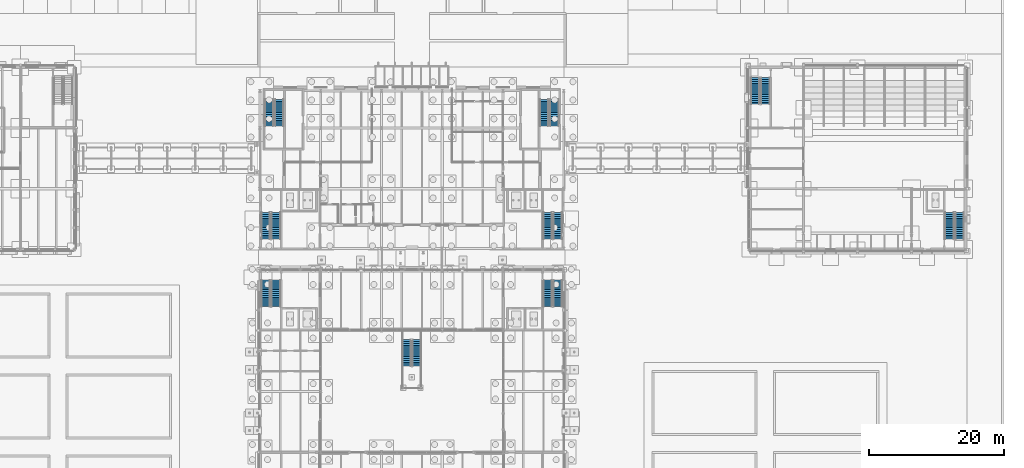
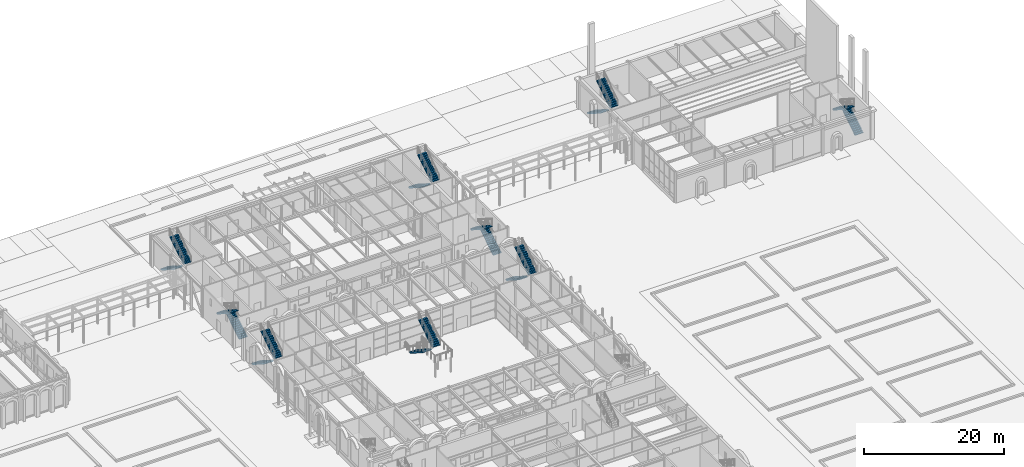
# One storey, part 86 of 126: 18 stair flights, 9 elements without a shape of their own.
"""IFC4 building model written with IfcOpenShell, lengths in metres."""

from ifc_helpers import new_model, si_unit, direction, frame, origin, place, context, subcontext, project, spatial, polyline, outline, extrude, material, type_object, element, aggregate, save


model = new_model("IFC4")

# Units and contexts
model_context = context("Model", 3, precision=1e-05, world=origin(), true_north=direction((0.0, 1.0)))
body_context = subcontext(model_context, "Body", "Model", "MODEL_VIEW")
ifc_project = project(units=[si_unit("LENGTHUNIT", "METRE"), si_unit("AREAUNIT", "SQUARE_METRE"), si_unit("VOLUMEUNIT", "CUBIC_METRE"), si_unit("PLANEANGLEUNIT", "RADIAN"), si_unit("MASSUNIT", "GRAM", prefix="KILO")], contexts=[model_context])

# Site, building, storey
site_placement = place(None, origin())
site = spatial("IfcSite", under=ifc_project, at=site_placement, CompositionType="ELEMENT")
building_placement = place(site_placement, origin())
building = spatial("IfcBuilding", under=site, at=building_placement, Name="Kallimachos Central Library", CompositionType="ELEMENT")
storey_placement = place(building_placement, origin())
storey = spatial("IfcBuildingStorey", under=building, at=storey_placement, Name="L00", CompositionType="ELEMENT", Elevation=0.0)

# Stair, stair flights
ifc_material_1 = material(Name="Concrete C30/37", Category="concrete")
stair_type_1 = type_object("IfcStairType", Name="Escape stair", PredefinedType="HALF_TURN_STAIR", material=ifc_material_1)
stair_1_placement = place(storey_placement, origin())
stair_1 = element("IfcStair", 1, at=stair_1_placement, inside=storey, type_object=stair_type_1, Name="L00 stair ST9", PredefinedType="HALF_TURN_STAIR")
ifc_material_2 = material(Name="Concrete C30/37", Category="concrete")
stair_flight_type_1 = type_object("IfcStairFlightType", Name="Stair flight", PredefinedType="STRAIGHT", material=ifc_material_2)
stair_flight_1_placement = place(storey_placement, frame((66.375, 82.449951171875, 0.0), z_axis=(0.0, 0.0, 1.0), x_axis=(0.0, -1.0, 0.0)))
stair_flight_1 = element("IfcStairFlight", 2, at=stair_flight_1_placement, type_object=stair_flight_type_1, Name="ST9 flight 1", NumberOfRisers=15, NumberOfTreads=14, PredefinedType="STRAIGHT", RiserHeight=0.18, TreadLength=0.28, context=body_context, shape_type="SweptSolid", body=[
    extrude(outline(polyline([(0.0, 0.0), (0.0, 0.179931640625), (0.280029296875, 0.179931640625), (0.280029296875, 0.360107421875), (0.56005859375, 0.360107421875), (0.56005859375, 0.5400390625), (0.840087890625, 0.5400390625), (0.840087890625, 0.719970703125), (1.1201171875, 0.719970703125), (1.1201171875, 0.89990234375), (1.39990234375, 0.89990234375), (1.39990234375, 1.080078125), (1.679931640625, 1.080078125), (1.679931640625, 1.260009765625), (1.9599609375, 1.260009765625), (1.9599609375, 1.43994140625), (2.239990234375, 1.43994140625), (2.239990234375, 1.6201171875), (2.52001953125, 1.6201171875), (2.52001953125, 1.800048828125), (2.800048828125, 1.800048828125), (2.800048828125, 1.97998046875), (3.080078125, 1.97998046875), (3.080078125, 2.159912109375), (3.360107421875, 2.159912109375), (3.360107421875, 2.340087890625), (3.639892578125, 2.340087890625), (3.639892578125, 2.52001953125), (3.919921875, 2.52001953125), (3.919921875, 2.699951171875), (3.919921875, 2.341796875), (0.277099609375, 0.0), (0.0, 0.0)])), frame((0.0, 0.675048828125, 0.0), z_axis=(0.0, -1.0, 0.0), x_axis=(1.0, 0.0, 0.0)), (0.0, 0.0, 1.0), 1.35009765625),
])
stair_flight_2_placement = place(storey_placement, frame((67.875, 78.530029296875, 2.699951171875), z_axis=(0.0, 0.0, 1.0), x_axis=(0.0, 1.0, 0.0)))
stair_flight_2 = element("IfcStairFlight", 3, at=stair_flight_2_placement, type_object=stair_flight_type_1, Name="ST9 flight 2", NumberOfRisers=15, NumberOfTreads=14, PredefinedType="STRAIGHT", RiserHeight=0.18, TreadLength=0.28, context=body_context, shape_type="SweptSolid", body=[
    extrude(outline(polyline([(0.0, 0.0), (0.0, 0.179931640625), (0.280029296875, 0.179931640625), (0.280029296875, 0.360107421875), (0.56005859375, 0.360107421875), (0.56005859375, 0.5400390625), (0.840087890625, 0.5400390625), (0.840087890625, 0.719970703125), (1.1201171875, 0.719970703125), (1.1201171875, 0.89990234375), (1.39990234375, 0.89990234375), (1.39990234375, 1.080078125), (1.679931640625, 1.080078125), (1.679931640625, 1.260009765625), (1.9599609375, 1.260009765625), (1.9599609375, 1.43994140625), (2.239990234375, 1.43994140625), (2.239990234375, 1.6201171875), (2.52001953125, 1.6201171875), (2.52001953125, 1.800048828125), (2.800048828125, 1.800048828125), (2.800048828125, 1.97998046875), (3.080078125, 1.97998046875), (3.080078125, 2.159912109375), (3.360107421875, 2.159912109375), (3.360107421875, 2.340087890625), (3.639892578125, 2.340087890625), (3.639892578125, 2.52001953125), (3.919921875, 2.52001953125), (3.919921875, 2.699951171875), (3.919921875, 2.341796875), (0.277099609375, 0.0), (0.0, 0.0)])), frame((0.0, 0.675048828125, 0.0), z_axis=(0.0, -1.0, 0.0), x_axis=(1.0, 0.0, 0.0)), (0.0, 0.0, 1.0), 1.35009765625),
])
aggregate(stair_1, [stair_flight_1, stair_flight_2])

stair_2_placement = place(storey_placement, origin())
stair_2 = element("IfcStair", 4, at=stair_2_placement, inside=storey, type_object=stair_type_1, Name="L00 stair ST10", PredefinedType="HALF_TURN_STAIR")
stair_flight_3_placement = place(storey_placement, frame((108.125, 82.449951171875, 0.0), z_axis=(0.0, 0.0, 1.0), x_axis=(0.0, -1.0, 0.0)))
stair_flight_3 = element("IfcStairFlight", 5, at=stair_flight_3_placement, type_object=stair_flight_type_1, Name="ST10 flight 1", NumberOfRisers=15, NumberOfTreads=14, PredefinedType="STRAIGHT", RiserHeight=0.18, TreadLength=0.28, context=body_context, shape_type="SweptSolid", body=[
    extrude(outline(polyline([(0.0, 0.0), (0.0, 0.179931640625), (0.280029296875, 0.179931640625), (0.280029296875, 0.360107421875), (0.56005859375, 0.360107421875), (0.56005859375, 0.5400390625), (0.840087890625, 0.5400390625), (0.840087890625, 0.719970703125), (1.1201171875, 0.719970703125), (1.1201171875, 0.89990234375), (1.39990234375, 0.89990234375), (1.39990234375, 1.080078125), (1.679931640625, 1.080078125), (1.679931640625, 1.260009765625), (1.9599609375, 1.260009765625), (1.9599609375, 1.43994140625), (2.239990234375, 1.43994140625), (2.239990234375, 1.6201171875), (2.52001953125, 1.6201171875), (2.52001953125, 1.800048828125), (2.800048828125, 1.800048828125), (2.800048828125, 1.97998046875), (3.080078125, 1.97998046875), (3.080078125, 2.159912109375), (3.360107421875, 2.159912109375), (3.360107421875, 2.340087890625), (3.639892578125, 2.340087890625), (3.639892578125, 2.52001953125), (3.919921875, 2.52001953125), (3.919921875, 2.699951171875), (3.919921875, 2.341796875), (0.277099609375, 0.0), (0.0, 0.0)])), frame((0.0, 0.675048828125, 0.0), z_axis=(0.0, -1.0, 0.0), x_axis=(1.0, 0.0, 0.0)), (0.0, 0.0, 1.0), 1.35009765625),
])
stair_flight_4_placement = place(storey_placement, frame((109.625, 78.530029296875, 2.699951171875), z_axis=(0.0, 0.0, 1.0), x_axis=(0.0, 1.0, 0.0)))
stair_flight_4 = element("IfcStairFlight", 6, at=stair_flight_4_placement, type_object=stair_flight_type_1, Name="ST10 flight 2", NumberOfRisers=15, NumberOfTreads=14, PredefinedType="STRAIGHT", RiserHeight=0.18, TreadLength=0.28, context=body_context, shape_type="SweptSolid", body=[
    extrude(outline(polyline([(0.0, 0.0), (0.0, 0.179931640625), (0.280029296875, 0.179931640625), (0.280029296875, 0.360107421875), (0.56005859375, 0.360107421875), (0.56005859375, 0.5400390625), (0.840087890625, 0.5400390625), (0.840087890625, 0.719970703125), (1.1201171875, 0.719970703125), (1.1201171875, 0.89990234375), (1.39990234375, 0.89990234375), (1.39990234375, 1.080078125), (1.679931640625, 1.080078125), (1.679931640625, 1.260009765625), (1.9599609375, 1.260009765625), (1.9599609375, 1.43994140625), (2.239990234375, 1.43994140625), (2.239990234375, 1.6201171875), (2.52001953125, 1.6201171875), (2.52001953125, 1.800048828125), (2.800048828125, 1.800048828125), (2.800048828125, 1.97998046875), (3.080078125, 1.97998046875), (3.080078125, 2.159912109375), (3.360107421875, 2.159912109375), (3.360107421875, 2.340087890625), (3.639892578125, 2.340087890625), (3.639892578125, 2.52001953125), (3.919921875, 2.52001953125), (3.919921875, 2.699951171875), (3.919921875, 2.341796875), (0.277099609375, 0.0), (0.0, 0.0)])), frame((0.0, 0.675048828125, 0.0), z_axis=(0.0, -1.0, 0.0), x_axis=(1.0, 0.0, 0.0)), (0.0, 0.0, 1.0), 1.35009765625),
])
aggregate(stair_2, [stair_flight_3, stair_flight_4])

stair_3_placement = place(storey_placement, origin())
stair_3 = element("IfcStair", 7, at=stair_3_placement, inside=storey, type_object=stair_type_1, Name="L00 atrium stair", PredefinedType="HALF_TURN_STAIR")
stair_flight_5_placement = place(storey_placement, frame((87.25, 73.64990234375, 0.0), z_axis=(0.0, 0.0, 1.0), x_axis=(0.0, -1.0, 0.0)))
stair_flight_5 = element("IfcStairFlight", 8, at=stair_flight_5_placement, type_object=stair_flight_type_1, Name="SF1 flight 1", NumberOfRisers=15, NumberOfTreads=14, PredefinedType="STRAIGHT", RiserHeight=0.18, TreadLength=0.28, context=body_context, shape_type="SweptSolid", body=[
    extrude(outline(polyline([(0.0, 0.0), (0.0, 0.179931640625), (0.280029296875, 0.179931640625), (0.280029296875, 0.360107421875), (0.56005859375, 0.360107421875), (0.56005859375, 0.5400390625), (0.840087890625, 0.5400390625), (0.840087890625, 0.719970703125), (1.1201171875, 0.719970703125), (1.1201171875, 0.89990234375), (1.39990234375, 0.89990234375), (1.39990234375, 1.080078125), (1.679931640625, 1.080078125), (1.679931640625, 1.260009765625), (1.9599609375, 1.260009765625), (1.9599609375, 1.43994140625), (2.239990234375, 1.43994140625), (2.239990234375, 1.6201171875), (2.52001953125, 1.6201171875), (2.52001953125, 1.800048828125), (2.800048828125, 1.800048828125), (2.800048828125, 1.97998046875), (3.080078125, 1.97998046875), (3.080078125, 2.159912109375), (3.360107421875, 2.159912109375), (3.360107421875, 2.340087890625), (3.639892578125, 2.340087890625), (3.639892578125, 2.52001953125), (3.919921875, 2.52001953125), (3.919921875, 2.699951171875), (3.919921875, 2.341796875), (0.277099609375, 0.0), (0.0, 0.0)])), frame((0.0, 0.675048828125, 0.0), z_axis=(0.0, -1.0, 0.0), x_axis=(1.0, 0.0, 0.0)), (0.0, 0.0, 1.0), 1.35009765625),
])
stair_flight_6_placement = place(storey_placement, frame((88.75, 69.72998046875, 2.699951171875), z_axis=(0.0, 0.0, 1.0), x_axis=(0.0, 1.0, 0.0)))
stair_flight_6 = element("IfcStairFlight", 9, at=stair_flight_6_placement, type_object=stair_flight_type_1, Name="SF1 flight 2", NumberOfRisers=15, NumberOfTreads=14, PredefinedType="STRAIGHT", RiserHeight=0.18, TreadLength=0.28, context=body_context, shape_type="SweptSolid", body=[
    extrude(outline(polyline([(0.0, 0.0), (0.0, 0.179931640625), (0.280029296875, 0.179931640625), (0.280029296875, 0.360107421875), (0.56005859375, 0.360107421875), (0.56005859375, 0.5400390625), (0.840087890625, 0.5400390625), (0.840087890625, 0.719970703125), (1.1201171875, 0.719970703125), (1.1201171875, 0.89990234375), (1.39990234375, 0.89990234375), (1.39990234375, 1.080078125), (1.679931640625, 1.080078125), (1.679931640625, 1.260009765625), (1.9599609375, 1.260009765625), (1.9599609375, 1.43994140625), (2.239990234375, 1.43994140625), (2.239990234375, 1.6201171875), (2.52001953125, 1.6201171875), (2.52001953125, 1.800048828125), (2.800048828125, 1.800048828125), (2.800048828125, 1.97998046875), (3.080078125, 1.97998046875), (3.080078125, 2.159912109375), (3.360107421875, 2.159912109375), (3.360107421875, 2.340087890625), (3.639892578125, 2.340087890625), (3.639892578125, 2.52001953125), (3.919921875, 2.52001953125), (3.919921875, 2.699951171875), (3.919921875, 2.341796875), (0.277099609375, 0.0), (0.0, 0.0)])), frame((0.0, 0.675048828125, 0.0), z_axis=(0.0, -1.0, 0.0), x_axis=(1.0, 0.0, 0.0)), (0.0, 0.0, 1.0), 1.35009765625),
])
aggregate(stair_3, [stair_flight_5, stair_flight_6])

ifc_material_3 = material(Name="Concrete C30/37", Category="concrete")
stair_type_2 = type_object("IfcStairType", Name="Stair V3", PredefinedType="HALF_TURN_STAIR", material=ifc_material_3)
stair_4_placement = place(storey_placement, origin())
stair_4 = element("IfcStair", 10, at=stair_4_placement, inside=storey, type_object=stair_type_2, Name="L00 stair ST7", PredefinedType="HALF_TURN_STAIR")
ifc_material_4 = material(Name="Concrete C30/37", Category="concrete")
stair_flight_type_2 = type_object("IfcStairFlightType", Name="Stair flight V3", PredefinedType="STRAIGHT", material=ifc_material_4)
stair_flight_7_placement = place(storey_placement, frame((169.125, 88.550048828125, 0.0), z_axis=(0.0, 0.0, 1.0), x_axis=(0.0, 1.0, 0.0)))
stair_flight_7 = element("IfcStairFlight", 11, at=stair_flight_7_placement, type_object=stair_flight_type_2, Name="ST7 flight 1", NumberOfRisers=15, NumberOfTreads=14, PredefinedType="STRAIGHT", RiserHeight=0.18, TreadLength=0.28, context=body_context, shape_type="SweptSolid", body=[
    extrude(outline(polyline([(0.0, 0.0), (0.0, 0.179931640625), (0.280029296875, 0.179931640625), (0.280029296875, 0.360107421875), (0.56005859375, 0.360107421875), (0.56005859375, 0.5400390625), (0.840087890625, 0.5400390625), (0.840087890625, 0.719970703125), (1.1201171875, 0.719970703125), (1.1201171875, 0.89990234375), (1.39990234375, 0.89990234375), (1.39990234375, 1.080078125), (1.679931640625, 1.080078125), (1.679931640625, 1.260009765625), (1.9599609375, 1.260009765625), (1.9599609375, 1.43994140625), (2.239990234375, 1.43994140625), (2.239990234375, 1.6201171875), (2.52001953125, 1.6201171875), (2.52001953125, 1.800048828125), (2.800048828125, 1.800048828125), (2.800048828125, 1.97998046875), (3.080078125, 1.97998046875), (3.080078125, 2.159912109375), (3.360107421875, 2.159912109375), (3.360107421875, 2.340087890625), (3.639892578125, 2.340087890625), (3.639892578125, 2.52001953125), (3.919921875, 2.52001953125), (3.919921875, 2.699951171875), (3.919921875, 2.341796875), (0.277099609375, 0.0), (0.0, 0.0)])), frame((0.0, 0.675048828125, 0.0), z_axis=(0.0, -1.0, 0.0), x_axis=(1.0, 0.0, 0.0)), (0.0, 0.0, 1.0), 1.35009765625),
])
stair_flight_8_placement = place(storey_placement, frame((167.625, 92.469970703125, 2.699951171875), z_axis=(0.0, 0.0, 1.0), x_axis=(0.0, -1.0, 0.0)))
stair_flight_8 = element("IfcStairFlight", 12, at=stair_flight_8_placement, type_object=stair_flight_type_2, Name="ST7 flight 2", NumberOfRisers=15, NumberOfTreads=14, PredefinedType="STRAIGHT", RiserHeight=0.18, TreadLength=0.28, context=body_context, shape_type="SweptSolid", body=[
    extrude(outline(polyline([(0.0, 0.0), (0.0, 0.179931640625), (0.280029296875, 0.179931640625), (0.280029296875, 0.360107421875), (0.56005859375, 0.360107421875), (0.56005859375, 0.5400390625), (0.840087890625, 0.5400390625), (0.840087890625, 0.719970703125), (1.1201171875, 0.719970703125), (1.1201171875, 0.89990234375), (1.39990234375, 0.89990234375), (1.39990234375, 1.080078125), (1.679931640625, 1.080078125), (1.679931640625, 1.260009765625), (1.9599609375, 1.260009765625), (1.9599609375, 1.43994140625), (2.239990234375, 1.43994140625), (2.239990234375, 1.6201171875), (2.52001953125, 1.6201171875), (2.52001953125, 1.800048828125), (2.800048828125, 1.800048828125), (2.800048828125, 1.97998046875), (3.080078125, 1.97998046875), (3.080078125, 2.159912109375), (3.360107421875, 2.159912109375), (3.360107421875, 2.340087890625), (3.639892578125, 2.340087890625), (3.639892578125, 2.52001953125), (3.919921875, 2.52001953125), (3.919921875, 2.699951171875), (3.919921875, 2.341796875), (0.277099609375, 0.0), (0.0, 0.0)])), frame((0.0, 0.675048828125, 0.0), z_axis=(0.0, -1.0, 0.0), x_axis=(1.0, 0.0, 0.0)), (0.0, 0.0, 1.0), 1.35009765625),
])
aggregate(stair_4, [stair_flight_7, stair_flight_8])

stair_5_placement = place(storey_placement, origin())
stair_5 = element("IfcStair", 13, at=stair_5_placement, inside=storey, type_object=stair_type_2, Name="L00 stair ST8", PredefinedType="HALF_TURN_STAIR")
stair_flight_9_placement = place(storey_placement, frame((138.875, 112.449951171875, 0.0), z_axis=(0.0, 0.0, 1.0), x_axis=(0.0, -1.0, 0.0)))
stair_flight_9 = element("IfcStairFlight", 14, at=stair_flight_9_placement, type_object=stair_flight_type_2, Name="ST8 flight 1", NumberOfRisers=15, NumberOfTreads=14, PredefinedType="STRAIGHT", RiserHeight=0.18, TreadLength=0.28, context=body_context, shape_type="SweptSolid", body=[
    extrude(outline(polyline([(0.0, 0.0), (0.0, 0.179931640625), (0.280029296875, 0.179931640625), (0.280029296875, 0.360107421875), (0.56005859375, 0.360107421875), (0.56005859375, 0.5400390625), (0.840087890625, 0.5400390625), (0.840087890625, 0.719970703125), (1.1201171875, 0.719970703125), (1.1201171875, 0.89990234375), (1.39990234375, 0.89990234375), (1.39990234375, 1.080078125), (1.679931640625, 1.080078125), (1.679931640625, 1.260009765625), (1.9599609375, 1.260009765625), (1.9599609375, 1.43994140625), (2.239990234375, 1.43994140625), (2.239990234375, 1.6201171875), (2.52001953125, 1.6201171875), (2.52001953125, 1.800048828125), (2.800048828125, 1.800048828125), (2.800048828125, 1.97998046875), (3.080078125, 1.97998046875), (3.080078125, 2.159912109375), (3.360107421875, 2.159912109375), (3.360107421875, 2.340087890625), (3.639892578125, 2.340087890625), (3.639892578125, 2.52001953125), (3.919921875, 2.52001953125), (3.919921875, 2.699951171875), (3.919921875, 2.341796875), (0.277099609375, 0.0), (0.0, 0.0)])), frame((0.0, 0.675048828125, 0.0), z_axis=(0.0, -1.0, 0.0), x_axis=(1.0, 0.0, 0.0)), (0.0, 0.0, 1.0), 1.35009765625),
])
stair_flight_10_placement = place(storey_placement, frame((140.375, 108.530029296875, 2.699951171875), z_axis=(0.0, 0.0, 1.0), x_axis=(0.0, 1.0, 0.0)))
stair_flight_10 = element("IfcStairFlight", 15, at=stair_flight_10_placement, type_object=stair_flight_type_2, Name="ST8 flight 2", NumberOfRisers=15, NumberOfTreads=14, PredefinedType="STRAIGHT", RiserHeight=0.18, TreadLength=0.28, context=body_context, shape_type="SweptSolid", body=[
    extrude(outline(polyline([(0.0, 0.0), (0.0, 0.179931640625), (0.280029296875, 0.179931640625), (0.280029296875, 0.360107421875), (0.56005859375, 0.360107421875), (0.56005859375, 0.5400390625), (0.840087890625, 0.5400390625), (0.840087890625, 0.719970703125), (1.1201171875, 0.719970703125), (1.1201171875, 0.89990234375), (1.39990234375, 0.89990234375), (1.39990234375, 1.080078125), (1.679931640625, 1.080078125), (1.679931640625, 1.260009765625), (1.9599609375, 1.260009765625), (1.9599609375, 1.43994140625), (2.239990234375, 1.43994140625), (2.239990234375, 1.6201171875), (2.52001953125, 1.6201171875), (2.52001953125, 1.800048828125), (2.800048828125, 1.800048828125), (2.800048828125, 1.97998046875), (3.080078125, 1.97998046875), (3.080078125, 2.159912109375), (3.360107421875, 2.159912109375), (3.360107421875, 2.340087890625), (3.639892578125, 2.340087890625), (3.639892578125, 2.52001953125), (3.919921875, 2.52001953125), (3.919921875, 2.699951171875), (3.919921875, 2.341796875), (0.277099609375, 0.0), (0.0, 0.0)])), frame((0.0, 0.675048828125, 0.0), z_axis=(0.0, -1.0, 0.0), x_axis=(1.0, 0.0, 0.0)), (0.0, 0.0, 1.0), 1.35009765625),
])
aggregate(stair_5, [stair_flight_9, stair_flight_10])

ifc_material_5 = material(Name="Steel S355J2", Category="steel")
stair_type_3 = type_object("IfcStairType", Name="Steel half-turn stair 1350", PredefinedType="HALF_TURN_STAIR", material=ifc_material_5)
stair_6_placement = place(storey_placement, origin())
stair_6 = element("IfcStair", 16, at=stair_6_placement, inside=storey, type_object=stair_type_3, Name="L00 stair ST1", PredefinedType="HALF_TURN_STAIR")
ifc_material_6 = material(Name="Steel S355J2", Category="steel")
stair_flight_type_3 = type_object("IfcStairFlightType", Name="Steel stair flight 1350", PredefinedType="STRAIGHT", material=ifc_material_6)
stair_flight_11_placement = place(storey_placement, frame((67.875, 88.550048828125, 0.0), z_axis=(0.0, 0.0, 1.0), x_axis=(0.0, 1.0, 0.0)))
stair_flight_11 = element("IfcStairFlight", 17, at=stair_flight_11_placement, type_object=stair_flight_type_3, Name="ST1 flight 1", NumberOfRisers=15, NumberOfTreads=14, PredefinedType="STRAIGHT", RiserHeight=0.18, TreadLength=0.28, context=body_context, shape_type="SweptSolid", body=[
    extrude(outline(polyline([(0.0, 0.0), (0.0, 0.179931640625), (0.280029296875, 0.179931640625), (0.280029296875, 0.360107421875), (0.56005859375, 0.360107421875), (0.56005859375, 0.5400390625), (0.840087890625, 0.5400390625), (0.840087890625, 0.719970703125), (1.1201171875, 0.719970703125), (1.1201171875, 0.89990234375), (1.39990234375, 0.89990234375), (1.39990234375, 1.080078125), (1.679931640625, 1.080078125), (1.679931640625, 1.260009765625), (1.9599609375, 1.260009765625), (1.9599609375, 1.43994140625), (2.239990234375, 1.43994140625), (2.239990234375, 1.6201171875), (2.52001953125, 1.6201171875), (2.52001953125, 1.800048828125), (2.800048828125, 1.800048828125), (2.800048828125, 1.97998046875), (3.080078125, 1.97998046875), (3.080078125, 2.159912109375), (3.360107421875, 2.159912109375), (3.360107421875, 2.340087890625), (3.639892578125, 2.340087890625), (3.639892578125, 2.52001953125), (3.919921875, 2.52001953125), (3.919921875, 2.699951171875), (3.919921875, 2.341796875), (0.277099609375, 0.0), (0.0, 0.0)])), frame((0.0, 0.675048828125, 0.0), z_axis=(0.0, -1.0, 0.0), x_axis=(1.0, 0.0, 0.0)), (0.0, 0.0, 1.0), 1.35009765625),
])
stair_flight_12_placement = place(storey_placement, frame((66.375, 92.469970703125, 2.699951171875), z_axis=(0.0, 0.0, 1.0), x_axis=(0.0, -1.0, 0.0)))
stair_flight_12 = element("IfcStairFlight", 18, at=stair_flight_12_placement, type_object=stair_flight_type_3, Name="ST1 flight 2", NumberOfRisers=15, NumberOfTreads=14, PredefinedType="STRAIGHT", RiserHeight=0.18, TreadLength=0.28, context=body_context, shape_type="SweptSolid", body=[
    extrude(outline(polyline([(0.0, 0.0), (0.0, 0.179931640625), (0.280029296875, 0.179931640625), (0.280029296875, 0.360107421875), (0.56005859375, 0.360107421875), (0.56005859375, 0.5400390625), (0.840087890625, 0.5400390625), (0.840087890625, 0.719970703125), (1.1201171875, 0.719970703125), (1.1201171875, 0.89990234375), (1.39990234375, 0.89990234375), (1.39990234375, 1.080078125), (1.679931640625, 1.080078125), (1.679931640625, 1.260009765625), (1.9599609375, 1.260009765625), (1.9599609375, 1.43994140625), (2.239990234375, 1.43994140625), (2.239990234375, 1.6201171875), (2.52001953125, 1.6201171875), (2.52001953125, 1.800048828125), (2.800048828125, 1.800048828125), (2.800048828125, 1.97998046875), (3.080078125, 1.97998046875), (3.080078125, 2.159912109375), (3.360107421875, 2.159912109375), (3.360107421875, 2.340087890625), (3.639892578125, 2.340087890625), (3.639892578125, 2.52001953125), (3.919921875, 2.52001953125), (3.919921875, 2.699951171875), (3.919921875, 2.341796875), (0.277099609375, 0.0), (0.0, 0.0)])), frame((0.0, 0.675048828125, 0.0), z_axis=(0.0, -1.0, 0.0), x_axis=(1.0, 0.0, 0.0)), (0.0, 0.0, 1.0), 1.35009765625),
])
aggregate(stair_6, [stair_flight_11, stair_flight_12])

stair_7_placement = place(storey_placement, origin())
stair_7 = element("IfcStair", 19, at=stair_7_placement, inside=storey, type_object=stair_type_3, Name="L00 stair ST2", PredefinedType="HALF_TURN_STAIR")
stair_flight_13_placement = place(storey_placement, frame((109.625, 88.550048828125, 0.0), z_axis=(0.0, 0.0, 1.0), x_axis=(0.0, 1.0, 0.0)))
stair_flight_13 = element("IfcStairFlight", 20, at=stair_flight_13_placement, type_object=stair_flight_type_3, Name="ST2 flight 1", NumberOfRisers=15, NumberOfTreads=14, PredefinedType="STRAIGHT", RiserHeight=0.18, TreadLength=0.28, context=body_context, shape_type="SweptSolid", body=[
    extrude(outline(polyline([(0.0, 0.0), (0.0, 0.179931640625), (0.280029296875, 0.179931640625), (0.280029296875, 0.360107421875), (0.56005859375, 0.360107421875), (0.56005859375, 0.5400390625), (0.840087890625, 0.5400390625), (0.840087890625, 0.719970703125), (1.1201171875, 0.719970703125), (1.1201171875, 0.89990234375), (1.39990234375, 0.89990234375), (1.39990234375, 1.080078125), (1.679931640625, 1.080078125), (1.679931640625, 1.260009765625), (1.9599609375, 1.260009765625), (1.9599609375, 1.43994140625), (2.239990234375, 1.43994140625), (2.239990234375, 1.6201171875), (2.52001953125, 1.6201171875), (2.52001953125, 1.800048828125), (2.800048828125, 1.800048828125), (2.800048828125, 1.97998046875), (3.080078125, 1.97998046875), (3.080078125, 2.159912109375), (3.360107421875, 2.159912109375), (3.360107421875, 2.340087890625), (3.639892578125, 2.340087890625), (3.639892578125, 2.52001953125), (3.919921875, 2.52001953125), (3.919921875, 2.699951171875), (3.919921875, 2.341796875), (0.277099609375, 0.0), (0.0, 0.0)])), frame((0.0, 0.675048828125, 0.0), z_axis=(0.0, -1.0, 0.0), x_axis=(1.0, 0.0, 0.0)), (0.0, 0.0, 1.0), 1.35009765625),
])
stair_flight_14_placement = place(storey_placement, frame((108.125, 92.469970703125, 2.699951171875), z_axis=(0.0, 0.0, 1.0), x_axis=(0.0, -1.0, 0.0)))
stair_flight_14 = element("IfcStairFlight", 21, at=stair_flight_14_placement, type_object=stair_flight_type_3, Name="ST2 flight 2", NumberOfRisers=15, NumberOfTreads=14, PredefinedType="STRAIGHT", RiserHeight=0.18, TreadLength=0.28, context=body_context, shape_type="SweptSolid", body=[
    extrude(outline(polyline([(0.0, 0.0), (0.0, 0.179931640625), (0.280029296875, 0.179931640625), (0.280029296875, 0.360107421875), (0.56005859375, 0.360107421875), (0.56005859375, 0.5400390625), (0.840087890625, 0.5400390625), (0.840087890625, 0.719970703125), (1.1201171875, 0.719970703125), (1.1201171875, 0.89990234375), (1.39990234375, 0.89990234375), (1.39990234375, 1.080078125), (1.679931640625, 1.080078125), (1.679931640625, 1.260009765625), (1.9599609375, 1.260009765625), (1.9599609375, 1.43994140625), (2.239990234375, 1.43994140625), (2.239990234375, 1.6201171875), (2.52001953125, 1.6201171875), (2.52001953125, 1.800048828125), (2.800048828125, 1.800048828125), (2.800048828125, 1.97998046875), (3.080078125, 1.97998046875), (3.080078125, 2.159912109375), (3.360107421875, 2.159912109375), (3.360107421875, 2.340087890625), (3.639892578125, 2.340087890625), (3.639892578125, 2.52001953125), (3.919921875, 2.52001953125), (3.919921875, 2.699951171875), (3.919921875, 2.341796875), (0.277099609375, 0.0), (0.0, 0.0)])), frame((0.0, 0.675048828125, 0.0), z_axis=(0.0, -1.0, 0.0), x_axis=(1.0, 0.0, 0.0)), (0.0, 0.0, 1.0), 1.35009765625),
])
aggregate(stair_7, [stair_flight_13, stair_flight_14])

stair_8_placement = place(storey_placement, origin())
stair_8 = element("IfcStair", 22, at=stair_8_placement, inside=storey, type_object=stair_type_3, Name="L00 stair ST3", PredefinedType="HALF_TURN_STAIR")
stair_flight_15_placement = place(storey_placement, frame((66.875, 109.22509765625, 0.0), z_axis=(0.0, 0.0, 1.0), x_axis=(0.0, -1.0, 0.0)))
stair_flight_15 = element("IfcStairFlight", 23, at=stair_flight_15_placement, type_object=stair_flight_type_3, Name="ST3 flight 1", NumberOfRisers=15, NumberOfTreads=14, PredefinedType="STRAIGHT", RiserHeight=0.18, TreadLength=0.28, context=body_context, shape_type="SweptSolid", body=[
    extrude(outline(polyline([(0.0, 0.0), (0.0, 0.179931640625), (0.280029296875, 0.179931640625), (0.280029296875, 0.360107421875), (0.56005859375, 0.360107421875), (0.56005859375, 0.5400390625), (0.840087890625, 0.5400390625), (0.840087890625, 0.719970703125), (1.1201171875, 0.719970703125), (1.1201171875, 0.89990234375), (1.39990234375, 0.89990234375), (1.39990234375, 1.080078125), (1.679931640625, 1.080078125), (1.679931640625, 1.260009765625), (1.9599609375, 1.260009765625), (1.9599609375, 1.43994140625), (2.239990234375, 1.43994140625), (2.239990234375, 1.6201171875), (2.52001953125, 1.6201171875), (2.52001953125, 1.800048828125), (2.800048828125, 1.800048828125), (2.800048828125, 1.97998046875), (3.080078125, 1.97998046875), (3.080078125, 2.159912109375), (3.360107421875, 2.159912109375), (3.360107421875, 2.340087890625), (3.639892578125, 2.340087890625), (3.639892578125, 2.52001953125), (3.919921875, 2.52001953125), (3.919921875, 2.699951171875), (3.919921875, 2.341796875), (0.277099609375, 0.0), (0.0, 0.0)])), frame((0.0, 0.675048828125, 0.0), z_axis=(0.0, -1.0, 0.0), x_axis=(1.0, 0.0, 0.0)), (0.0, 0.0, 1.0), 1.35009765625),
])
stair_flight_16_placement = place(storey_placement, frame((68.375, 105.304931640625, 2.699951171875), z_axis=(0.0, 0.0, 1.0), x_axis=(0.0, 1.0, 0.0)))
stair_flight_16 = element("IfcStairFlight", 24, at=stair_flight_16_placement, type_object=stair_flight_type_3, Name="ST3 flight 2", NumberOfRisers=15, NumberOfTreads=14, PredefinedType="STRAIGHT", RiserHeight=0.18, TreadLength=0.28, context=body_context, shape_type="SweptSolid", body=[
    extrude(outline(polyline([(0.0, 0.0), (0.0, 0.179931640625), (0.280029296875, 0.179931640625), (0.280029296875, 0.360107421875), (0.56005859375, 0.360107421875), (0.56005859375, 0.5400390625), (0.840087890625, 0.5400390625), (0.840087890625, 0.719970703125), (1.1201171875, 0.719970703125), (1.1201171875, 0.89990234375), (1.39990234375, 0.89990234375), (1.39990234375, 1.080078125), (1.679931640625, 1.080078125), (1.679931640625, 1.260009765625), (1.9599609375, 1.260009765625), (1.9599609375, 1.43994140625), (2.239990234375, 1.43994140625), (2.239990234375, 1.6201171875), (2.52001953125, 1.6201171875), (2.52001953125, 1.800048828125), (2.800048828125, 1.800048828125), (2.800048828125, 1.97998046875), (3.080078125, 1.97998046875), (3.080078125, 2.159912109375), (3.360107421875, 2.159912109375), (3.360107421875, 2.340087890625), (3.639892578125, 2.340087890625), (3.639892578125, 2.52001953125), (3.919921875, 2.52001953125), (3.919921875, 2.699951171875), (3.919921875, 2.341796875), (0.277099609375, 0.0), (0.0, 0.0)])), frame((0.0, 0.675048828125, 0.0), z_axis=(0.0, -1.0, 0.0), x_axis=(1.0, 0.0, 0.0)), (0.0, 0.0, 1.0), 1.35009765625),
])
aggregate(stair_8, [stair_flight_15, stair_flight_16])

stair_9_placement = place(storey_placement, origin())
stair_9 = element("IfcStair", 25, at=stair_9_placement, inside=storey, type_object=stair_type_3, Name="L00 stair ST4", PredefinedType="HALF_TURN_STAIR")
stair_flight_17_placement = place(storey_placement, frame((107.625, 109.22509765625, 0.0), z_axis=(0.0, 0.0, 1.0), x_axis=(0.0, -1.0, 0.0)))
stair_flight_17 = element("IfcStairFlight", 26, at=stair_flight_17_placement, type_object=stair_flight_type_3, Name="ST4 flight 1", NumberOfRisers=15, NumberOfTreads=14, PredefinedType="STRAIGHT", RiserHeight=0.18, TreadLength=0.28, context=body_context, shape_type="SweptSolid", body=[
    extrude(outline(polyline([(0.0, 0.0), (0.0, 0.179931640625), (0.280029296875, 0.179931640625), (0.280029296875, 0.360107421875), (0.56005859375, 0.360107421875), (0.56005859375, 0.5400390625), (0.840087890625, 0.5400390625), (0.840087890625, 0.719970703125), (1.1201171875, 0.719970703125), (1.1201171875, 0.89990234375), (1.39990234375, 0.89990234375), (1.39990234375, 1.080078125), (1.679931640625, 1.080078125), (1.679931640625, 1.260009765625), (1.9599609375, 1.260009765625), (1.9599609375, 1.43994140625), (2.239990234375, 1.43994140625), (2.239990234375, 1.6201171875), (2.52001953125, 1.6201171875), (2.52001953125, 1.800048828125), (2.800048828125, 1.800048828125), (2.800048828125, 1.97998046875), (3.080078125, 1.97998046875), (3.080078125, 2.159912109375), (3.360107421875, 2.159912109375), (3.360107421875, 2.340087890625), (3.639892578125, 2.340087890625), (3.639892578125, 2.52001953125), (3.919921875, 2.52001953125), (3.919921875, 2.699951171875), (3.919921875, 2.341796875), (0.277099609375, 0.0), (0.0, 0.0)])), frame((0.0, 0.675048828125, 0.0), z_axis=(0.0, -1.0, 0.0), x_axis=(1.0, 0.0, 0.0)), (0.0, 0.0, 1.0), 1.35009765625),
])
stair_flight_18_placement = place(storey_placement, frame((109.125, 105.304931640625, 2.699951171875), z_axis=(0.0, 0.0, 1.0), x_axis=(0.0, 1.0, 0.0)))
stair_flight_18 = element("IfcStairFlight", 27, at=stair_flight_18_placement, type_object=stair_flight_type_3, Name="ST4 flight 2", NumberOfRisers=15, NumberOfTreads=14, PredefinedType="STRAIGHT", RiserHeight=0.18, TreadLength=0.28, context=body_context, shape_type="SweptSolid", body=[
    extrude(outline(polyline([(0.0, 0.0), (0.0, 0.179931640625), (0.280029296875, 0.179931640625), (0.280029296875, 0.360107421875), (0.56005859375, 0.360107421875), (0.56005859375, 0.5400390625), (0.840087890625, 0.5400390625), (0.840087890625, 0.719970703125), (1.1201171875, 0.719970703125), (1.1201171875, 0.89990234375), (1.39990234375, 0.89990234375), (1.39990234375, 1.080078125), (1.679931640625, 1.080078125), (1.679931640625, 1.260009765625), (1.9599609375, 1.260009765625), (1.9599609375, 1.43994140625), (2.239990234375, 1.43994140625), (2.239990234375, 1.6201171875), (2.52001953125, 1.6201171875), (2.52001953125, 1.800048828125), (2.800048828125, 1.800048828125), (2.800048828125, 1.97998046875), (3.080078125, 1.97998046875), (3.080078125, 2.159912109375), (3.360107421875, 2.159912109375), (3.360107421875, 2.340087890625), (3.639892578125, 2.340087890625), (3.639892578125, 2.52001953125), (3.919921875, 2.52001953125), (3.919921875, 2.699951171875), (3.919921875, 2.341796875), (0.277099609375, 0.0), (0.0, 0.0)])), frame((0.0, 0.675048828125, 0.0), z_axis=(0.0, -1.0, 0.0), x_axis=(1.0, 0.0, 0.0)), (0.0, 0.0, 1.0), 1.35009765625),
])
aggregate(stair_9, [stair_flight_17, stair_flight_18])

save(model, "model.ifc")
